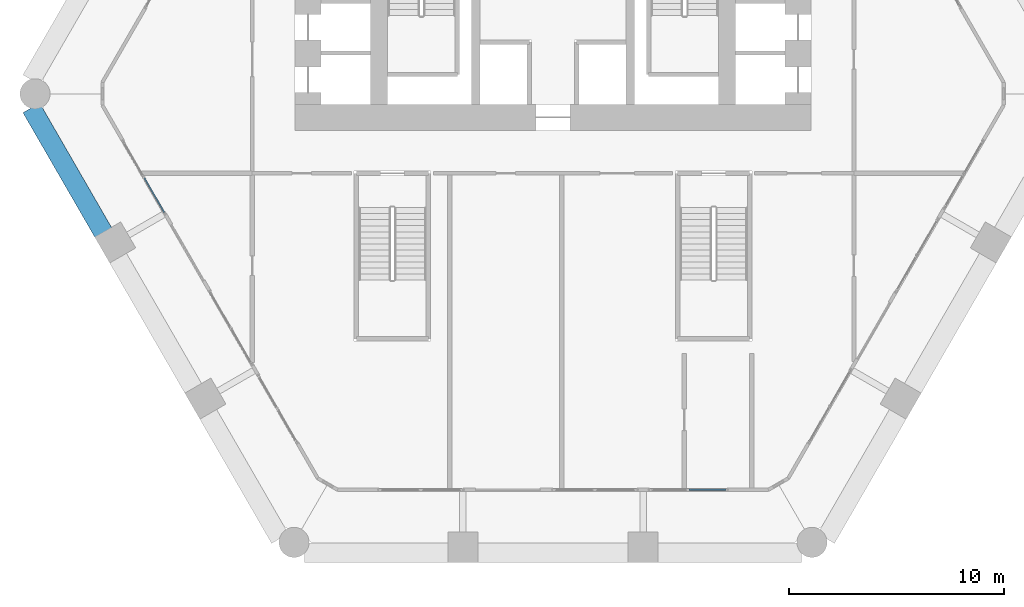
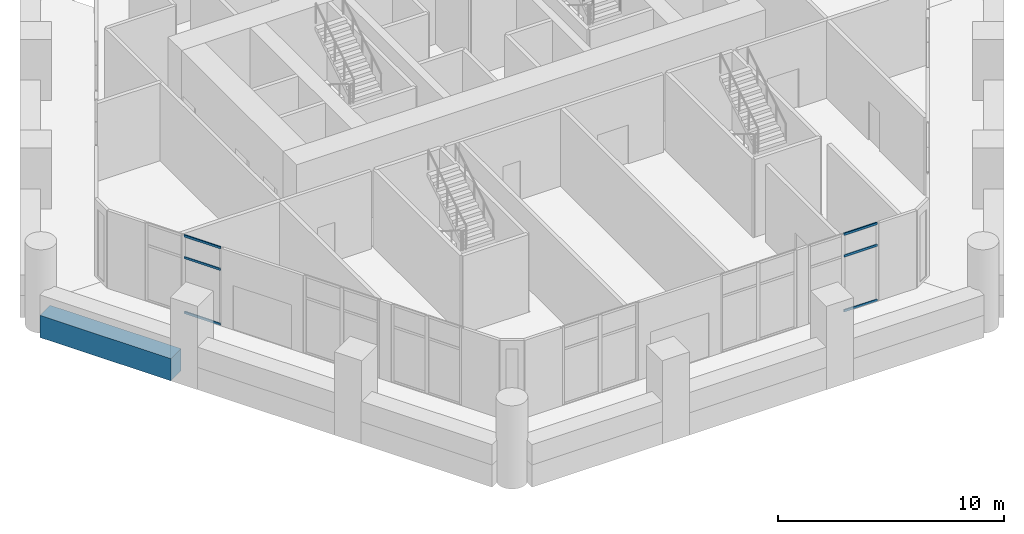
# One storey, part 4 of 18: 6 members, 1 beam, 2 elements without a shape of their own.
"""IFC4 building model written with IfcOpenShell, lengths in metres."""

from ifc_helpers import new_model, si_unit, direction, frame, origin, origin_2d, place, context, subcontext, project, spatial, rectangle, hollow_rectangle, extrude, material, material_profile, profile_set, type_object, element, aggregate, save


model = new_model("IFC4")

# Units and contexts
model_context = context("Model", 3, precision=1e-05, world=origin(), true_north=direction((0.0, 1.0)))
body_context = subcontext(model_context, "Body", "Model", "MODEL_VIEW")
ifc_project = project(units=[si_unit("LENGTHUNIT", "METRE"), si_unit("AREAUNIT", "SQUARE_METRE"), si_unit("VOLUMEUNIT", "CUBIC_METRE"), si_unit("PLANEANGLEUNIT", "RADIAN"), si_unit("MASSUNIT", "GRAM", prefix="KILO")], contexts=[model_context])

# Site, building, storey
site_placement = place(None, origin())
site = spatial("IfcSite", under=ifc_project, at=site_placement, CompositionType="ELEMENT")
building_placement = place(site_placement, origin())
building = spatial("IfcBuilding", under=site, at=building_placement, Name="Ostrander Bayou Hotel Tower", CompositionType="ELEMENT")
storey_placement = place(building_placement, frame((0.0, 0.0, 19.0)))
storey = spatial("IfcBuildingStorey", under=building, at=storey_placement, Name="L04", CompositionType="ELEMENT", Elevation=19.0)

# Curtain wall, members
ifc_material_1 = material(Name="Aluminium and clear glass", Category="aluminium")
curtain_wall_type = type_object("IfcCurtainWallType", Name="CW-SKY amenity glass wall", PredefinedType="NOTDEFINED", material=ifc_material_1)
curtain_wall_1_placement = place(storey_placement, origin())
curtain_wall_1 = element("IfcCurtainWall", 1, at=curtain_wall_1_placement, inside=storey, type_object=curtain_wall_type, Name="CW-SKY L04 SW 1", PredefinedType="NOTDEFINED")
ifc_material_2 = material(Name="Aluminium", Category="aluminium")
ifc_material_profile_1 = material_profile(ifc_material_2, hollow_rectangle(XDim=0.06005859375, YDim=0.1201171875, WallThickness=0.00390625, at=origin_2d()))
ifc_profile_set_1 = profile_set([ifc_material_profile_1], Name="Aluminium")
member_type = type_object("IfcMemberType", Name="CW-SK transom 60 x 120 mm", PredefinedType="USERDEFINED", material=ifc_profile_set_1)
member_1_placement = place(storey_placement, frame((-19.0166015625, -3.912353515625, 0.030029296875), z_axis=(0.500063286585, -0.865988862174, 0.0), x_axis=(0.865988862174, 0.500063286585, 0.0)))
member_1 = element("IfcMember", 2, at=member_1_placement, type_object=member_type, Name="CW-SKY transom 2.1", ObjectType="TRANSOM", PredefinedType="USERDEFINED", context=body_context, shape_type="SweptSolid", body=[
    extrude(hollow_rectangle(XDim=0.06005859375, YDim=0.1201171875, WallThickness=0.00390625, at=origin_2d()), origin(), (0.0, 0.0, 1.0), 1.860107421875),
])
member_2_placement = place(storey_placement, frame((-19.0166015625, -3.912353515625, 3.0), z_axis=(0.500063286585, -0.865988862174, 0.0), x_axis=(0.865988862174, 0.500063286585, 0.0)))
member_2 = element("IfcMember", 3, at=member_2_placement, type_object=member_type, Name="CW-SKY transom 2.2", ObjectType="TRANSOM", PredefinedType="USERDEFINED", context=body_context, shape_type="SweptSolid", body=[
    extrude(hollow_rectangle(XDim=0.06005859375, YDim=0.1201171875, WallThickness=0.00390625, at=origin_2d()), origin(), (0.0, 0.0, 1.0), 1.860107421875),
])
member_3_placement = place(storey_placement, frame((-19.0166015625, -3.912353515625, 4.169921875), z_axis=(0.500063286585, -0.865988862174, 0.0), x_axis=(0.865988862174, 0.500063286585, 0.0)))
member_3 = element("IfcMember", 4, at=member_3_placement, type_object=member_type, Name="CW-SKY transom 2.3", ObjectType="TRANSOM", PredefinedType="USERDEFINED", context=body_context, shape_type="SweptSolid", body=[
    extrude(hollow_rectangle(XDim=0.06005859375, YDim=0.1201171875, WallThickness=0.00390625, at=origin_2d()), origin(), (0.0, 0.0, 1.0), 1.860107421875),
])
aggregate(curtain_wall_1, [member_1, member_2, member_3])

curtain_wall_2_placement = place(storey_placement, origin())
curtain_wall_2 = element("IfcCurtainWall", 5, at=curtain_wall_2_placement, inside=storey, type_object=curtain_wall_type, Name="CW-SKY L04 S 4", PredefinedType="NOTDEFINED")
member_4_placement = place(storey_placement, frame((6.330078125, -18.425048828125, 0.030029296875), z_axis=(1.0, 0.0, 0.0), x_axis=(0.0, 1.0, 0.0)))
member_4 = element("IfcMember", 6, at=member_4_placement, type_object=member_type, Name="CW-SKY transom 2.1", ObjectType="TRANSOM", PredefinedType="USERDEFINED", context=body_context, shape_type="SweptSolid", body=[
    extrude(hollow_rectangle(XDim=0.06005859375, YDim=0.1201171875, WallThickness=0.00390625, at=origin_2d()), origin(), (0.0, 0.0, 1.0), 1.7099609375),
])
member_5_placement = place(storey_placement, frame((6.330078125, -18.425048828125, 3.0), z_axis=(1.0, 0.0, 0.0), x_axis=(0.0, 1.0, 0.0)))
member_5 = element("IfcMember", 7, at=member_5_placement, type_object=member_type, Name="CW-SKY transom 2.2", ObjectType="TRANSOM", PredefinedType="USERDEFINED", context=body_context, shape_type="SweptSolid", body=[
    extrude(hollow_rectangle(XDim=0.06005859375, YDim=0.1201171875, WallThickness=0.00390625, at=origin_2d()), origin(), (0.0, 0.0, 1.0), 1.7099609375),
])
member_6_placement = place(storey_placement, frame((6.330078125, -18.425048828125, 4.169921875), z_axis=(1.0, 0.0, 0.0), x_axis=(0.0, 1.0, 0.0)))
member_6 = element("IfcMember", 8, at=member_6_placement, type_object=member_type, Name="CW-SKY transom 2.3", ObjectType="TRANSOM", PredefinedType="USERDEFINED", context=body_context, shape_type="SweptSolid", body=[
    extrude(hollow_rectangle(XDim=0.06005859375, YDim=0.1201171875, WallThickness=0.00390625, at=origin_2d()), origin(), (0.0, 0.0, 1.0), 1.7099609375),
])
aggregate(curtain_wall_2, [member_4, member_5, member_6])

# Beam
ifc_material_3 = material(Name="Concrete f'c 70 MPa", Category="concrete")
ifc_material_profile_2 = material_profile(ifc_material_3, rectangle(XDim=0.89990234375, YDim=1.199951171875, at=origin_2d()))
ifc_profile_set_2 = profile_set([ifc_material_profile_2], Name="Concrete f'c 70 MPa")
beam_type = type_object("IfcBeamType", Name="SP1 spandrel beam 900 x 1200 mm f'c 70 MPa", PredefinedType="SPANDREL", material=ifc_profile_set_2)
beam_placement = place(storey_placement, frame((-24.274169921875, -0.656005859375, -0.60009765625), z_axis=(0.500005133765, -0.866022439784, 0.0), x_axis=(0.866022439784, 0.500005133765, 0.0)))
element("IfcBeam", 9, at=beam_placement, inside=storey, type_object=beam_type, Name="SP1 L04 SW-1", PredefinedType="SPANDREL", context=body_context, shape_type="SweptSolid", body=[
    extrude(rectangle(XDim=0.89990234375, YDim=1.199951171875, at=origin_2d()), origin(), (0.0, 0.0, 1.0), 6.70361328125),
])

save(model, "model.ifc")
